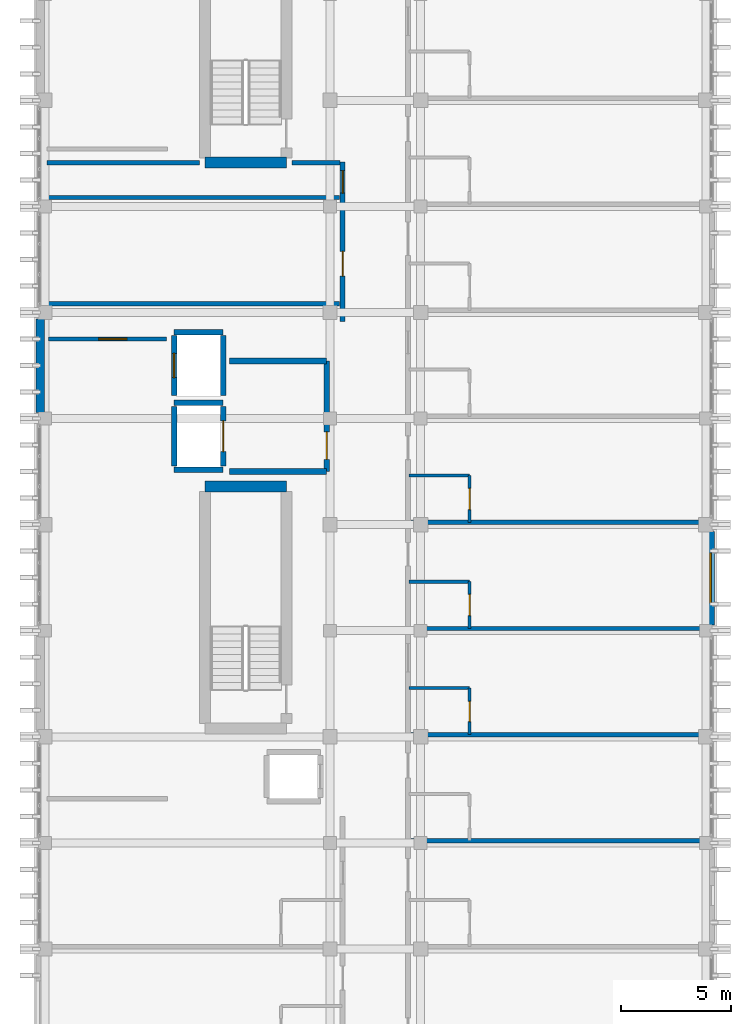
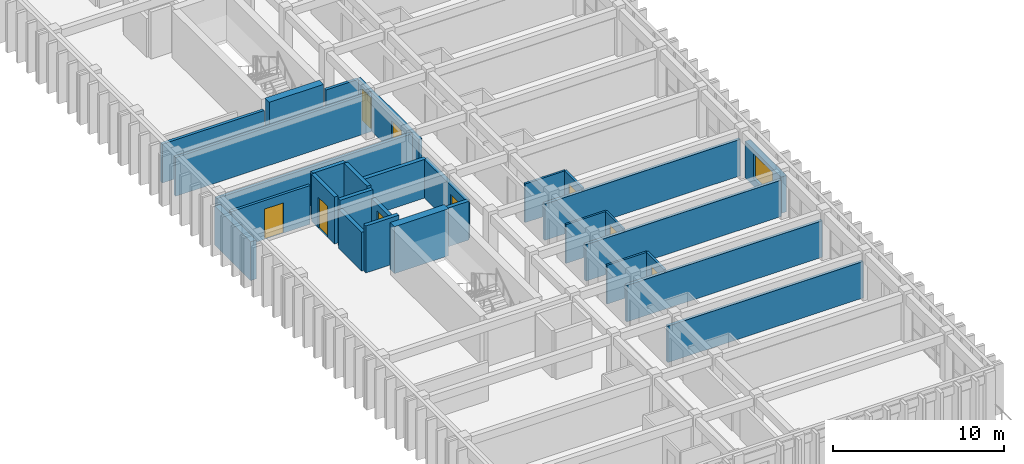
# One storey, part 41 of 49: 30 walls, 9 doors, 1 window, 10 openings.
"""IFC4 building model written with IfcOpenShell, lengths in metres."""

from ifc_helpers import new_model, si_unit, direction, frame, frame_2d, origin, place, context, subcontext, project, spatial, rectangle, extrude, material, layer, layer_set, type_object, element, fill, save


model = new_model("IFC4")

# Units and contexts
model_context = context("Model", 3, precision=1e-05, world=origin(), true_north=direction((0.0, 1.0)))
body_context = subcontext(model_context, "Body", "Model", "MODEL_VIEW")
ifc_project = project(units=[si_unit("LENGTHUNIT", "METRE"), si_unit("AREAUNIT", "SQUARE_METRE"), si_unit("VOLUMEUNIT", "CUBIC_METRE"), si_unit("PLANEANGLEUNIT", "RADIAN"), si_unit("MASSUNIT", "GRAM", prefix="KILO")], contexts=[model_context])

# Site, building, storey
site_placement = place(None, origin())
site = spatial("IfcSite", under=ifc_project, at=site_placement, CompositionType="ELEMENT")
building_placement = place(site_placement, origin())
building = spatial("IfcBuilding", under=site, at=building_placement, Name="Nakhvara Creek Congress Hotel", CompositionType="ELEMENT")
storey_placement = place(building_placement, frame((0.0, 0.0, 39.0)))
storey = spatial("IfcBuildingStorey", under=building, at=storey_placement, Name="L09", CompositionType="ELEMENT", Elevation=39.0)

# Walls
ifc_material_1 = material(Name="Concrete C50/60", Category="concrete")
ifc_layer_1 = layer(ifc_material_1, 0.5)
ifc_layer_set_1 = layer_set([ifc_layer_1], Name="Concrete C50/60")
wall_type_1 = type_object("IfcWallType", Name="W-CORE-500", PredefinedType="SHEAR", material=ifc_layer_set_1)
for number, where, z_axis, x_axis, name in (
    (1, (156.699951171875, 88.1201171875, 0.0), (0.0, 0.0, 1.0), (1.0, 0.0, 0.0), "Core Shear Wall WS01-CWALL-L09-0200"),
    (2, (156.699951171875, 102.780029296875, 0.0), (0.0, 0.0, 1.0), (1.0, 0.0, 0.0), "Core Shear Wall WS01-CWALL-L09-0466"),
):
    element("IfcWall", number, at=place(storey_placement, frame(where, z_axis=z_axis, x_axis=x_axis)), inside=storey, type_object=wall_type_1, Name=name, PredefinedType="SHEAR", context=body_context, shape_type="SweptSolid", body=[
        extrude(rectangle(XDim=3.670166015625, YDim=0.5, at=frame_2d((1.8349609375, 0.0))), origin(), (0.0, 0.0, 1.0), 3.360107421875),
    ])

# Wall, openings, doors
ifc_material_2 = material(Name="Gypsum acoustic board on steel stud", Category="steel")
ifc_layer_2 = layer(ifc_material_2, 0.219970703125)
ifc_layer_set_2 = layer_set([ifc_layer_2], Name="Gypsum acoustic board on steel stud")
wall_type_2 = type_object("IfcWallType", Name="W-CORR-220", PredefinedType="PARTITIONING", material=ifc_layer_set_2)
wall_1_placement = place(storey_placement, frame((162.919921875, 95.60009765625, 0.0), z_axis=(0.0, 0.0, 1.0), x_axis=(0.0, 1.0, 0.0)))
wall_1 = element("IfcWall", 3, at=wall_1_placement, inside=storey, type_object=wall_type_2, Name="Interior Wall WP11-IW-L09-0647", PredefinedType="PARTITIONING", context=body_context, shape_type="SweptSolid", body=[
    extrude(rectangle(XDim=7.219970703125, YDim=0.219970703125, at=frame_2d((3.60986328125, 0.0))), origin(), (0.0, 0.0, 1.0), 2.77197265625),
])
opening_1_placement = place(wall_1_placement, frame((2.050048828125, 0.0, 0.0)))
opening_1 = element("IfcOpeningElement", 4, at=opening_1_placement, cuts=wall_1, Name="Opening BD01", PredefinedType="OPENING", context=body_context, shape_type="SweptSolid", body=[
    extrude(rectangle(XDim=1.1201171875, YDim=2.14990234375, at=frame_2d((0.56005859375, 1.074951171875))), frame((0.0, 0.1220703125, 0.0), z_axis=(0.0, -1.0, 0.0), x_axis=(1.0, 0.0, 0.0)), (0.0, 0.0, 1.0), 0.243896484375),
])
opening_2_placement = place(wall_1_placement, frame((5.800048828125, 0.0, 0.0)))
opening_2 = element("IfcOpeningElement", 5, at=opening_2_placement, cuts=wall_1, Name="Opening GD01", PredefinedType="OPENING", context=body_context, shape_type="SweptSolid", body=[
    extrude(rectangle(XDim=1.02001953125, YDim=2.199951171875, at=frame_2d((0.510009765625, 1.10009765625))), frame((0.0, 0.1220703125, 0.0), z_axis=(0.0, -1.0, 0.0), x_axis=(1.0, 0.0, 0.0)), (0.0, 0.0, 1.0), 0.243896484375),
])
ifc_material_3 = material(Name="Walnut hardwood timber fire door", Category="wood")
door_type_1 = type_object("IfcDoorType", Name="DT-GUEST-102", OperationType="NOTDEFINED", PredefinedType="DOOR", material=ifc_material_3)
door_1_placement = place(opening_2_placement, frame((1.02001953125, 0.0, 0.0), z_axis=(0.0, 0.0, 1.0), x_axis=(-1.0, 0.0, 0.0)))
door_1 = element("IfcDoor", 6, at=door_1_placement, inside=storey, type_object=door_type_1, Name="Interior Door GD01-0478", OperationType="SINGLE_SWING_LEFT", OverallHeight=2.199951171875, OverallWidth=1.02001953125, PredefinedType="DOOR", context=body_context, shape_type="SweptSolid", body=[
    extrude(rectangle(XDim=1.02001953125, YDim=2.199951171875, at=frame_2d((0.510009765625, 1.10009765625))), frame((0.0, 0.02490234375, 0.0), z_axis=(0.0, -1.0, 0.0), x_axis=(1.0, 0.0, 0.0)), (0.0, 0.0, 1.0), 0.050048828125),
])
fill(opening_2, door_1)
ifc_material_4 = material(Name="Hardwood-faced service fire door", Category="wood")
door_type_2 = type_object("IfcDoorType", Name="DT-HK-112", OperationType="NOTDEFINED", PredefinedType="DOOR", material=ifc_material_4)
door_2_placement = place(opening_1_placement, frame((1.1201171875, 0.0, 0.0), z_axis=(0.0, 0.0, 1.0), x_axis=(-1.0, 0.0, 0.0)))
door_2 = element("IfcDoor", 7, at=door_2_placement, inside=storey, type_object=door_type_2, Name="Interior Door BD01-0477", OperationType="SINGLE_SWING_RIGHT", OverallHeight=2.14990234375, OverallWidth=1.1201171875, PredefinedType="DOOR", context=body_context, shape_type="SweptSolid", body=[
    extrude(rectangle(XDim=1.1201171875, YDim=2.14990234375, at=frame_2d((0.56005859375, 1.074951171875))), frame((0.0, 0.02490234375, 0.0), z_axis=(0.0, -1.0, 0.0), x_axis=(1.0, 0.0, 0.0)), (0.0, 0.0, 1.0), 0.050048828125),
])
fill(opening_1, door_2)

# Wall, opening, door
ifc_material_5 = material(Name="Moisture-resistant gypsum board partition")
ifc_layer_3 = layer(ifc_material_5, 0.139892578125)
ifc_layer_set_3 = layer_set([ifc_layer_3], Name="Moisture-resistant gypsum board partition")
wall_type_3 = type_object("IfcWallType", Name="W-ENS-140", PredefinedType="PARTITIONING", material=ifc_layer_set_3)
wall_2_placement = place(storey_placement, frame((168.669921875, 76.89990234375, 0.0), z_axis=(0.0, 0.0, 1.0), x_axis=(0.0, 1.0, 0.0)))
wall_2 = element("IfcWall", 8, at=wall_2_placement, inside=storey, type_object=wall_type_3, Name="Interior Wall WP15-IW-L09-0672", PredefinedType="PARTITIONING", context=body_context, shape_type="SweptSolid", body=[
    extrude(rectangle(XDim=2.1162109375, YDim=0.139892578125, at=frame_2d((1.05810546875, 0.0))), origin(), (0.0, 0.0, 1.0), 2.77197265625),
])
opening_3_placement = place(wall_2_placement, frame((0.5830078125, 0.0, 0.0)))
opening_3 = element("IfcOpeningElement", 9, at=opening_3_placement, cuts=wall_2, Name="Opening ID01", PredefinedType="OPENING", context=body_context, shape_type="SweptSolid", body=[
    extrude(rectangle(XDim=0.919921875, YDim=2.10009765625, at=frame_2d((0.4599609375, 1.050048828125))), frame((0.0, 0.08203125, 0.0), z_axis=(0.0, -1.0, 0.0), x_axis=(1.0, 0.0, 0.0)), (0.0, 0.0, 1.0), 0.163818359375),
])
ifc_material_6 = material(Name="Moisture-resistant walnut timber door", Category="wood")
door_type_3 = type_object("IfcDoorType", Name="DT-ENS-092", OperationType="NOTDEFINED", PredefinedType="DOOR", material=ifc_material_6)
door_3_placement = place(opening_3_placement, frame((0.919921875, 0.0, 0.0), z_axis=(0.0, 0.0, 1.0), x_axis=(-1.0, 0.0, 0.0)))
door_3 = element("IfcDoor", 10, at=door_3_placement, inside=storey, type_object=door_type_3, Name="Interior Door ID01-0491", OperationType="SINGLE_SWING_RIGHT", OverallHeight=2.10009765625, OverallWidth=0.919921875, PredefinedType="DOOR", context=body_context, shape_type="SweptSolid", body=[
    extrude(rectangle(XDim=0.919921875, YDim=2.10009765625, at=frame_2d((0.4599609375, 1.050048828125))), frame((0.0, 0.02490234375, 0.0), z_axis=(0.0, -1.0, 0.0), x_axis=(1.0, 0.0, 0.0)), (0.0, 0.0, 1.0), 0.050048828125),
])
fill(opening_3, door_3)

# Wall
wall_3_placement = place(storey_placement, frame((165.919921875, 79.01611328125, 0.0), z_axis=(0.0, 0.0, 1.0), x_axis=(1.0, 0.0, 0.0)))
element("IfcWall", 11, at=wall_3_placement, inside=storey, type_object=wall_type_3, Name="Interior Wall WP15-IW-L09-0673", PredefinedType="PARTITIONING", context=body_context, shape_type="SweptSolid", body=[
    extrude(rectangle(XDim=2.75, YDim=0.139892578125, at=frame_2d((1.375, 0.0))), origin(), (0.0, 0.0, 1.0), 2.77197265625),
])

# Wall, opening, door
wall_4_placement = place(storey_placement, frame((168.669921875, 81.699951171875, 0.0), z_axis=(0.0, 0.0, 1.0), x_axis=(0.0, 1.0, 0.0)))
wall_4 = element("IfcWall", 12, at=wall_4_placement, inside=storey, type_object=wall_type_3, Name="Interior Wall WP15-IW-L09-0675", PredefinedType="PARTITIONING", context=body_context, shape_type="SweptSolid", body=[
    extrude(rectangle(XDim=2.115966796875, YDim=0.139892578125, at=frame_2d((1.05810546875, 0.0))), origin(), (0.0, 0.0, 1.0), 2.77197265625),
])
opening_4_placement = place(wall_4_placement, frame((0.5830078125, 0.0, 0.0)))
opening_4 = element("IfcOpeningElement", 13, at=opening_4_placement, cuts=wall_4, Name="Opening ID02", PredefinedType="OPENING", context=body_context, shape_type="SweptSolid", body=[
    extrude(rectangle(XDim=0.9599609375, YDim=2.1201171875, at=frame_2d((0.47998046875, 1.06005859375))), frame((0.0, 0.08203125, 0.0), z_axis=(0.0, -1.0, 0.0), x_axis=(1.0, 0.0, 0.0)), (0.0, 0.0, 1.0), 0.163818359375),
])
door_type_4 = type_object("IfcDoorType", Name="DT-ENS-096", OperationType="NOTDEFINED", PredefinedType="DOOR", material=ifc_material_6)
door_4_placement = place(opening_4_placement, frame((0.9599609375, 0.0, 0.0), z_axis=(0.0, 0.0, 1.0), x_axis=(-1.0, 0.0, 0.0)))
door_4 = element("IfcDoor", 14, at=door_4_placement, inside=storey, type_object=door_type_4, Name="Interior Door ID02-0493", OperationType="SINGLE_SWING_RIGHT", OverallHeight=2.1201171875, OverallWidth=0.9599609375, PredefinedType="DOOR", context=body_context, shape_type="SweptSolid", body=[
    extrude(rectangle(XDim=0.9599609375, YDim=2.1201171875, at=frame_2d((0.47998046875, 1.06005859375))), frame((0.0, 0.02490234375, 0.0), z_axis=(0.0, -1.0, 0.0), x_axis=(1.0, 0.0, 0.0)), (0.0, 0.0, 1.0), 0.050048828125),
])
fill(opening_4, door_4)

# Wall
wall_5_placement = place(storey_placement, frame((165.919921875, 83.81591796875, 0.0), z_axis=(0.0, 0.0, 1.0), x_axis=(1.0, 0.0, 0.0)))
element("IfcWall", 15, at=wall_5_placement, inside=storey, type_object=wall_type_3, Name="Interior Wall WP15-IW-L09-0676", PredefinedType="PARTITIONING", context=body_context, shape_type="SweptSolid", body=[
    extrude(rectangle(XDim=2.75, YDim=0.139892578125, at=frame_2d((1.375, 0.0))), origin(), (0.0, 0.0, 1.0), 2.77197265625),
])

# Wall, opening, door
wall_6_placement = place(storey_placement, frame((168.669921875, 86.5, 0.0), z_axis=(0.0, 0.0, 1.0), x_axis=(0.0, 1.0, 0.0)))
wall_6 = element("IfcWall", 16, at=wall_6_placement, inside=storey, type_object=wall_type_3, Name="Interior Wall WP15-IW-L09-0678", PredefinedType="PARTITIONING", context=body_context, shape_type="SweptSolid", body=[
    extrude(rectangle(XDim=2.115966796875, YDim=0.139892578125, at=frame_2d((1.05810546875, 0.0))), origin(), (0.0, 0.0, 1.0), 2.77197265625),
])
opening_5_placement = place(wall_6_placement, frame((0.5830078125, 0.0, 0.0)))
opening_5 = element("IfcOpeningElement", 17, at=opening_5_placement, cuts=wall_6, Name="Opening ID02", PredefinedType="OPENING", context=body_context, shape_type="SweptSolid", body=[
    extrude(rectangle(XDim=0.9599609375, YDim=2.1201171875, at=frame_2d((0.47998046875, 1.06005859375))), frame((0.0, 0.08203125, 0.0), z_axis=(0.0, -1.0, 0.0), x_axis=(1.0, 0.0, 0.0)), (0.0, 0.0, 1.0), 0.163818359375),
])
door_5_placement = place(opening_5_placement, frame((0.9599609375, 0.0, 0.0), z_axis=(0.0, 0.0, 1.0), x_axis=(-1.0, 0.0, 0.0)))
door_5 = element("IfcDoor", 18, at=door_5_placement, inside=storey, type_object=door_type_4, Name="Interior Door ID02-0495", OperationType="SINGLE_SWING_RIGHT", OverallHeight=2.1201171875, OverallWidth=0.9599609375, PredefinedType="DOOR", context=body_context, shape_type="SweptSolid", body=[
    extrude(rectangle(XDim=0.9599609375, YDim=2.1201171875, at=frame_2d((0.47998046875, 1.06005859375))), frame((0.0, 0.02490234375, 0.0), z_axis=(0.0, -1.0, 0.0), x_axis=(1.0, 0.0, 0.0)), (0.0, 0.0, 1.0), 0.050048828125),
])
fill(opening_5, door_5)

# Wall
wall_7_placement = place(storey_placement, frame((165.919921875, 88.615966796875, 0.0), z_axis=(0.0, 0.0, 1.0), x_axis=(1.0, 0.0, 0.0)))
element("IfcWall", 19, at=wall_7_placement, inside=storey, type_object=wall_type_3, Name="Interior Wall WP15-IW-L09-0679", PredefinedType="PARTITIONING", context=body_context, shape_type="SweptSolid", body=[
    extrude(rectangle(XDim=2.75, YDim=0.139892578125, at=frame_2d((1.375, 0.0))), origin(), (0.0, 0.0, 1.0), 2.77197265625),
])

# Wall, opening, window
ifc_material_7 = material(Name="Honed pale Omani limestone cladding", Category="masonry")
ifc_layer_4 = layer(ifc_material_7, 0.050048828125)
ifc_material_8 = material(Name="Mineral wool thermal insulation")
ifc_layer_5 = layer(ifc_material_8, 0.110107421875)
ifc_material_9 = material(Name="Precast concrete C40/50", Category="concrete")
ifc_layer_6 = layer(ifc_material_9, 0.219970703125)
ifc_layer_set_4 = layer_set([ifc_layer_4, ifc_layer_5, ifc_layer_6], Name="Precast concrete C40/50")
wall_type_4 = type_object("IfcWallType", Name="W-EXT-380", PredefinedType="SOLIDWALL", material=ifc_layer_set_4)
wall_8_placement = place(storey_placement, frame((179.56005859375, 86.10009765625, 0.0), z_axis=(0.0, 0.0, 1.0), x_axis=(0.0, -1.0, 0.0)))
wall_8 = element("IfcWall", 20, at=wall_8_placement, inside=storey, type_object=wall_type_4, Name="Exterior Wall WE03-EW-L09-0205", PredefinedType="SOLIDWALL", context=body_context, shape_type="SweptSolid", body=[
    extrude(rectangle(XDim=4.235107421875, YDim=0.3798828125, at=frame_2d((2.11767578125, 0.0))), origin(), (0.0, 0.0, 1.0), 2.60205078125),
])
opening_6_placement = place(wall_8_placement, frame((0.992431640625, 0.0, 0.550048828125)))
opening_6 = element("IfcOpeningElement", 21, at=opening_6_placement, cuts=wall_8, Name="Opening WN0225", PredefinedType="OPENING", context=body_context, shape_type="SweptSolid", body=[
    extrude(rectangle(XDim=2.25, YDim=1.7900390625, at=frame_2d((1.125, 0.89501953125))), frame((0.0, 0.201904296875, 0.0), z_axis=(0.0, -1.0, 0.0), x_axis=(1.0, 0.0, 0.0)), (0.0, 0.0, 1.0), 0.40380859375),
])
ifc_material_10 = material(Name="Thermally broken bronze-anodised aluminium and double-silver low-E insulated glass", Category="aluminium")
window_type = type_object("IfcWindowType", Name="WN-LAN-225X235", PartitioningType="SINGLE_PANEL", PredefinedType="WINDOW", material=ifc_material_10)
window_placement = place(opening_6_placement, origin())
window = element("IfcWindow", 22, at=window_placement, inside=storey, type_object=window_type, Name="Facade Window WN0225", OverallHeight=1.7900390625, OverallWidth=2.25, PartitioningType="SINGLE_PANEL", PredefinedType="WINDOW", context=body_context, shape_type="SweptSolid", body=[
    extrude(rectangle(XDim=2.25, YDim=1.7900390625, at=frame_2d((1.125, 0.89501953125))), frame((0.0, 0.030029296875, 0.0), z_axis=(0.0, -1.0, 0.0), x_axis=(1.0, 0.0, 0.0)), (0.0, 0.0, 1.0), 0.06005859375),
])
fill(opening_6, window)

# Wall
wall_9_placement = place(storey_placement, frame((149.239990234375, 91.465087890625, 0.0), z_axis=(0.0, 0.0, 1.0), x_axis=(0.0, 1.0, 0.0)))
element("IfcWall", 23, at=wall_9_placement, inside=storey, type_object=wall_type_4, Name="Exterior Wall WE03-EW-L09-0206", PredefinedType="SOLIDWALL", context=body_context, shape_type="SweptSolid", body=[
    extrude(rectangle(XDim=4.23486328125, YDim=0.3798828125, at=frame_2d((2.117431640625, 0.0))), origin(), (0.0, 0.0, 1.0), 2.77197265625),
])

# Wall, opening, door
ifc_material_11 = material(Name="Concrete C40/50", Category="concrete")
ifc_layer_7 = layer(ifc_material_11, 0.260009765625)
ifc_layer_set_5 = layer_set([ifc_layer_7], Name="Concrete C40/50")
wall_type_5 = type_object("IfcWallType", Name="W-FFL-260", PredefinedType="SOLIDWALL", material=ifc_layer_set_5)
wall_10_placement = place(storey_placement, frame((162.199951171875, 88.800048828125, 0.0), z_axis=(0.0, 0.0, 1.0), x_axis=(0.0, 1.0, 0.0)))
wall_10 = element("IfcWall", 24, at=wall_10_placement, inside=storey, type_object=wall_type_5, Name="Core Shear Wall WI03-CWALL-L09-0214", PredefinedType="SOLIDWALL", context=body_context, shape_type="SweptSolid", body=[
    extrude(rectangle(XDim=5.0, YDim=0.260009765625, at=frame_2d((2.5, 0.0))), origin(), (0.0, 0.0, 1.0), 2.77197265625),
])
opening_7_placement = place(wall_10_placement, frame((0.550048828125, 0.0, 0.0)))
opening_7 = element("IfcOpeningElement", 25, at=opening_7_placement, cuts=wall_10, Name="Opening FD05", PredefinedType="OPENING", context=body_context, shape_type="SweptSolid", body=[
    extrude(rectangle(XDim=1.25, YDim=2.14990234375, at=frame_2d((0.625, 1.074951171875))), frame((0.0, 0.14208984375, 0.0), z_axis=(0.0, -1.0, 0.0), x_axis=(1.0, 0.0, 0.0)), (0.0, 0.0, 1.0), 0.283935546875),
])
ifc_material_12 = material(Name="Hardwood-veneered steel fire door", Category="steel")
door_type_5 = type_object("IfcDoorType", Name="DT-FFL-125", OperationType="NOTDEFINED", PredefinedType="DOOR", material=ifc_material_12)
door_6_placement = place(opening_7_placement, origin())
door_6 = element("IfcDoor", 26, at=door_6_placement, inside=storey, type_object=door_type_5, Name="Firefighting Lobby Door C1-L09", OperationType="DOUBLE_DOOR_SINGLE_SWING", OverallHeight=2.14990234375, OverallWidth=1.25, PredefinedType="DOOR", context=body_context, shape_type="SweptSolid", body=[
    extrude(rectangle(XDim=1.25, YDim=2.14990234375, at=frame_2d((0.625, 1.074951171875))), frame((0.0, 0.02490234375, 0.0), z_axis=(0.0, -1.0, 0.0), x_axis=(1.0, 0.0, 0.0)), (0.0, 0.0, 1.0), 0.050048828125),
])
fill(opening_7, door_6)

# Walls
for number, where, z_axis, x_axis, name in (
    (27, (157.800048828125, 88.800048828125, 0.0), (0.0, 0.0, 1.0), (1.0, 0.0, 0.0), "Core Shear Wall WI03-CWALL-L09-0215"),
    (28, (157.800048828125, 93.800048828125, 0.0), (0.0, 0.0, 1.0), (1.0, 0.0, 0.0), "Core Shear Wall WI03-CWALL-L09-0216"),
):
    element("IfcWall", number, at=place(storey_placement, frame(where, z_axis=z_axis, x_axis=x_axis)), inside=storey, type_object=wall_type_5, Name=name, PredefinedType="SOLIDWALL", context=body_context, shape_type="SweptSolid", body=[
        extrude(rectangle(XDim=4.39990234375, YDim=0.260009765625, at=frame_2d((2.199951171875, 0.0))), origin(), (0.0, 0.0, 1.0), 2.77197265625),
    ])
ifc_layer_8 = layer(ifc_material_2, 0.179931640625)
ifc_layer_set_6 = layer_set([ifc_layer_8], Name="Gypsum acoustic board on steel stud")
wall_type_6 = type_object("IfcWallType", Name="W-MEET-180", PredefinedType="PARTITIONING", material=ifc_layer_set_6)
wall_11_placement = place(storey_placement, frame((149.550048828125, 101.199951171875, 0.0), z_axis=(0.0, 0.0, 1.0), x_axis=(1.0, 0.0, 0.0)))
element("IfcWall", 29, at=wall_11_placement, inside=storey, type_object=wall_type_6, Name="Interior Wall WP13-IW-L09-0651", PredefinedType="PARTITIONING", context=body_context, shape_type="SweptSolid", body=[
    extrude(rectangle(XDim=13.22998046875, YDim=0.179931640625, at=frame_2d((6.614990234375, 0.0))), origin(), (0.0, 0.0, 1.0), 2.77197265625),
])

# Wall, opening, door
wall_12_placement = place(storey_placement, frame((149.60009765625, 94.800048828125, 0.0), z_axis=(0.0, 0.0, 1.0), x_axis=(1.0, 0.0, 0.0)))
wall_12 = element("IfcWall", 30, at=wall_12_placement, inside=storey, type_object=wall_type_6, Name="Interior Wall WP13-IW-L09-0655", PredefinedType="PARTITIONING", context=body_context, shape_type="SweptSolid", body=[
    extrude(rectangle(XDim=5.349853515625, YDim=0.179931640625, at=frame_2d((2.6748046875, 0.0))), origin(), (0.0, 0.0, 1.0), 2.77197265625),
])
opening_8_placement = place(wall_12_placement, frame((2.27490234375, 0.0, 0.0)))
opening_8 = element("IfcOpeningElement", 31, at=opening_8_placement, cuts=wall_12, Name="Opening ID07", PredefinedType="OPENING", context=body_context, shape_type="SweptSolid", body=[
    extrude(rectangle(XDim=1.280029296875, YDim=2.159912109375, at=frame_2d((0.64013671875, 1.080078125))), frame((0.0, 0.10205078125, 0.0), z_axis=(0.0, -1.0, 0.0), x_axis=(1.0, 0.0, 0.0)), (0.0, 0.0, 1.0), 0.203857421875),
])
ifc_material_13 = material(Name="Brushed stainless-clad BOH door")
door_type_6 = type_object("IfcDoorType", Name="DT-BOH-128", OperationType="NOTDEFINED", PredefinedType="DOOR", material=ifc_material_13)
door_7_placement = place(opening_8_placement, origin())
door_7 = element("IfcDoor", 32, at=door_7_placement, inside=storey, type_object=door_type_6, Name="Interior Door ID07-0479", OperationType="SINGLE_SWING_RIGHT", OverallHeight=2.159912109375, OverallWidth=1.280029296875, PredefinedType="DOOR", context=body_context, shape_type="SweptSolid", body=[
    extrude(rectangle(XDim=1.280029296875, YDim=2.159912109375, at=frame_2d((0.64013671875, 1.080078125))), frame((0.0, 0.02490234375, 0.0), z_axis=(0.0, -1.0, 0.0), x_axis=(1.0, 0.0, 0.0)), (0.0, 0.0, 1.0), 0.050048828125),
])
fill(opening_8, door_7)

# Walls
ifc_layer_9 = layer(ifc_material_2, 0.199951171875)
ifc_layer_set_7 = layer_set([ifc_layer_9], Name="Gypsum acoustic board on steel stud")
wall_type_7 = type_object("IfcWallType", Name="W-PART-200", PredefinedType="PARTITIONING", material=ifc_layer_set_7)
wall_13_placement = place(storey_placement, frame((149.550048828125, 96.39990234375, 0.0), z_axis=(0.0, 0.0, 1.0), x_axis=(1.0, 0.0, 0.0)))
element("IfcWall", 33, at=wall_13_placement, inside=storey, type_object=wall_type_7, Name="Interior Wall WP12-IW-L09-0650", PredefinedType="PARTITIONING", context=body_context, shape_type="SweptSolid", body=[
    extrude(rectangle(XDim=13.22998046875, YDim=0.199951171875, at=frame_2d((6.614990234375, 0.0))), origin(), (0.0, 0.0, 1.0), 2.77197265625),
])
wall_14_placement = place(storey_placement, frame((149.550048828125, 102.780029296875, 0.0), z_axis=(0.0, 0.0, 1.0), x_axis=(1.0, 0.0, 0.0)))
element("IfcWall", 34, at=wall_14_placement, inside=storey, type_object=wall_type_7, Name="Interior Wall WP12-IW-L09-0652", PredefinedType="PARTITIONING", context=body_context, shape_type="SweptSolid", body=[
    extrude(rectangle(XDim=6.89990234375, YDim=0.199951171875, at=frame_2d((3.449951171875, 0.0))), origin(), (0.0, 0.0, 1.0), 2.77197265625),
])
wall_15_placement = place(storey_placement, frame((160.6201171875, 102.780029296875, 0.0), z_axis=(0.0, 0.0, 1.0), x_axis=(1.0, 0.0, 0.0)))
element("IfcWall", 35, at=wall_15_placement, inside=storey, type_object=wall_type_7, Name="Interior Wall WP12-IW-L09-0653", PredefinedType="PARTITIONING", context=body_context, shape_type="SweptSolid", body=[
    extrude(rectangle(XDim=2.18994140625, YDim=0.199951171875, at=frame_2d((1.094970703125, 0.0))), origin(), (0.0, 0.0, 1.0), 2.77197265625),
])
for number, where, z_axis, x_axis, name in (
    (36, (166.02001953125, 72.10009765625, 0.0), (0.0, 0.0, 1.0), (1.0, 0.0, 0.0), "Interior Wall WP12-IW-L09-0668"),
    (37, (166.02001953125, 76.89990234375, 0.0), (0.0, 0.0, 1.0), (1.0, 0.0, 0.0), "Interior Wall WP12-IW-L09-0671"),
    (38, (166.02001953125, 81.699951171875, 0.0), (0.0, 0.0, 1.0), (1.0, 0.0, 0.0), "Interior Wall WP12-IW-L09-0674"),
    (39, (166.02001953125, 86.5, 0.0), (0.0, 0.0, 1.0), (1.0, 0.0, 0.0), "Interior Wall WP12-IW-L09-0677"),
):
    element("IfcWall", number, at=place(storey_placement, frame(where, z_axis=z_axis, x_axis=x_axis)), inside=storey, type_object=wall_type_7, Name=name, PredefinedType="PARTITIONING", context=body_context, shape_type="SweptSolid", body=[
        extrude(rectangle(XDim=13.22998046875, YDim=0.199951171875, at=frame_2d((6.614990234375, 0.0))), origin(), (0.0, 0.0, 1.0), 2.60205078125),
    ])
ifc_layer_10 = layer(ifc_material_11, 0.25)
ifc_layer_set_8 = layer_set([ifc_layer_10], Name="Concrete C40/50")
wall_type_8 = type_object("IfcWallType", Name="W-SHAFT-250", PredefinedType="SOLIDWALL", material=ifc_layer_set_8)
for number, where, z_axis, x_axis, name in (
    (40, (155.2900390625, 88.889892578125, 0.0), (0.0, 0.0, 1.0), (1.0, 0.0, 0.0), "Core Shear Wall WI02-CWALL-L09-0203"),
    (41, (155.2900390625, 91.909912109375, 0.0), (0.0, 0.0, 1.0), (1.0, 0.0, 0.0), "Core Shear Wall WI02-CWALL-L09-0204"),
):
    element("IfcWall", number, at=place(storey_placement, frame(where, z_axis=z_axis, x_axis=x_axis)), inside=storey, type_object=wall_type_8, Name=name, PredefinedType="SOLIDWALL", context=body_context, shape_type="SweptSolid", body=[
        extrude(rectangle(XDim=2.219970703125, YDim=0.25, at=frame_2d((1.10986328125, 0.0))), origin(), (0.0, 0.0, 1.0), 3.360107421875),
    ])
wall_16_placement = place(storey_placement, frame((155.2900390625, 89.050048828125, 0.0), z_axis=(0.0, 0.0, 1.0), x_axis=(0.0, 1.0, 0.0)))
element("IfcWall", 42, at=wall_16_placement, inside=storey, type_object=wall_type_8, Name="Core Shear Wall WI02-CWALL-L09-0205", PredefinedType="SOLIDWALL", context=body_context, shape_type="SweptSolid", body=[
    extrude(rectangle(XDim=2.699951171875, YDim=0.25, at=frame_2d((1.35009765625, 0.0))), origin(), (0.0, 0.0, 1.0), 2.77197265625),
])

# Wall, opening, door
wall_17_placement = place(storey_placement, frame((157.510009765625, 89.050048828125, 0.0), z_axis=(0.0, 0.0, 1.0), x_axis=(0.0, 1.0, 0.0)))
wall_17 = element("IfcWall", 43, at=wall_17_placement, inside=storey, type_object=wall_type_8, Name="Core Shear Wall WI02-CWALL-L09-0206", PredefinedType="SOLIDWALL", context=body_context, shape_type="SweptSolid", body=[
    extrude(rectangle(XDim=2.699951171875, YDim=0.25, at=frame_2d((1.35009765625, 0.0))), origin(), (0.0, 0.0, 1.0), 2.77197265625),
])
opening_9_placement = place(wall_17_placement, frame((0.64990234375, 0.0, 0.0)))
opening_9 = element("IfcOpeningElement", 44, at=opening_9_placement, cuts=wall_17, Name="Opening LD02", PredefinedType="OPENING", context=body_context, shape_type="SweptSolid", body=[
    extrude(rectangle(XDim=1.39990234375, YDim=2.300048828125, at=frame_2d((0.699951171875, 1.14990234375))), frame((0.0, 0.136962890625, 0.0), z_axis=(0.0, -1.0, 0.0), x_axis=(1.0, 0.0, 0.0)), (0.0, 0.0, 1.0), 0.27392578125),
])
ifc_material_14 = material(Name="Brushed stainless steel heavy goods landing door", Category="steel")
door_type_7 = type_object("IfcDoorType", Name="DT-LIFT-140", OperationType="DOUBLE_DOOR_SLIDING", PredefinedType="DOOR", material=ifc_material_14)
door_8_placement = place(opening_9_placement, origin())
door_8 = element("IfcDoor", 45, at=door_8_placement, inside=storey, type_object=door_type_7, Name="Landing Door FFL1-L09", OperationType="SLIDING_TO_LEFT", OverallHeight=2.300048828125, OverallWidth=1.39990234375, PredefinedType="DOOR", context=body_context, shape_type="SweptSolid", body=[
    extrude(rectangle(XDim=1.39990234375, YDim=2.300048828125, at=frame_2d((0.699951171875, 1.14990234375))), frame((0.0, 0.02490234375, 0.0), z_axis=(0.0, -1.0, 0.0), x_axis=(1.0, 0.0, 0.0)), (0.0, 0.0, 1.0), 0.050048828125),
])
fill(opening_9, door_8)

# Wall
wall_18_placement = place(storey_placement, frame((155.2900390625, 95.110107421875, 0.0), z_axis=(0.0, 0.0, 1.0), x_axis=(1.0, 0.0, 0.0)))
element("IfcWall", 46, at=wall_18_placement, inside=storey, type_object=wall_type_8, Name="Core Shear Wall WI02-CWALL-L09-0207", PredefinedType="SOLIDWALL", context=body_context, shape_type="SweptSolid", body=[
    extrude(rectangle(XDim=2.219970703125, YDim=0.25, at=frame_2d((1.10986328125, 0.0))), origin(), (0.0, 0.0, 1.0), 3.360107421875),
])

# Wall, opening, door
wall_19_placement = place(storey_placement, frame((155.2900390625, 92.25, 0.0), z_axis=(0.0, 0.0, 1.0), x_axis=(0.0, 1.0, 0.0)))
wall_19 = element("IfcWall", 47, at=wall_19_placement, inside=storey, type_object=wall_type_8, Name="Core Shear Wall WI02-CWALL-L09-0208", PredefinedType="SOLIDWALL", context=body_context, shape_type="SweptSolid", body=[
    extrude(rectangle(XDim=2.699951171875, YDim=0.25, at=frame_2d((1.35009765625, 0.0))), origin(), (0.0, 0.0, 1.0), 3.360107421875),
])
opening_10_placement = place(wall_19_placement, frame((0.800048828125, 0.0, 0.0)))
opening_10 = element("IfcOpeningElement", 48, at=opening_10_placement, cuts=wall_19, Name="Opening LD01", PredefinedType="OPENING", context=body_context, shape_type="SweptSolid", body=[
    extrude(rectangle(XDim=1.10009765625, YDim=2.199951171875, at=frame_2d((0.550048828125, 1.10009765625))), frame((0.0, 0.136962890625, 0.0), z_axis=(0.0, -1.0, 0.0), x_axis=(1.0, 0.0, 0.0)), (0.0, 0.0, 1.0), 0.27392578125),
])
ifc_material_15 = material(Name="Brushed stainless steel sliding landing door", Category="steel")
door_type_8 = type_object("IfcDoorType", Name="DT-LIFT-110", OperationType="DOUBLE_DOOR_SLIDING", PredefinedType="DOOR", material=ifc_material_15)
door_9_placement = place(opening_10_placement, origin())
door_9 = element("IfcDoor", 49, at=door_9_placement, inside=storey, type_object=door_type_8, Name="Landing Door SL01-L09", OperationType="SLIDING_TO_LEFT", OverallHeight=2.199951171875, OverallWidth=1.10009765625, PredefinedType="DOOR", context=body_context, shape_type="SweptSolid", body=[
    extrude(rectangle(XDim=1.10009765625, YDim=2.199951171875, at=frame_2d((0.550048828125, 1.10009765625))), frame((0.0, 0.02490234375, 0.0), z_axis=(0.0, -1.0, 0.0), x_axis=(1.0, 0.0, 0.0)), (0.0, 0.0, 1.0), 0.050048828125),
])
fill(opening_10, door_9)

# Wall
wall_20_placement = place(storey_placement, frame((157.510009765625, 92.25, 0.0), z_axis=(0.0, 0.0, 1.0), x_axis=(0.0, 1.0, 0.0)))
element("IfcWall", 50, at=wall_20_placement, inside=storey, type_object=wall_type_8, Name="Core Shear Wall WI02-CWALL-L09-0209", PredefinedType="SOLIDWALL", context=body_context, shape_type="SweptSolid", body=[
    extrude(rectangle(XDim=2.699951171875, YDim=0.25, at=frame_2d((1.35009765625, 0.0))), origin(), (0.0, 0.0, 1.0), 3.360107421875),
])

save(model, "model.ifc")
